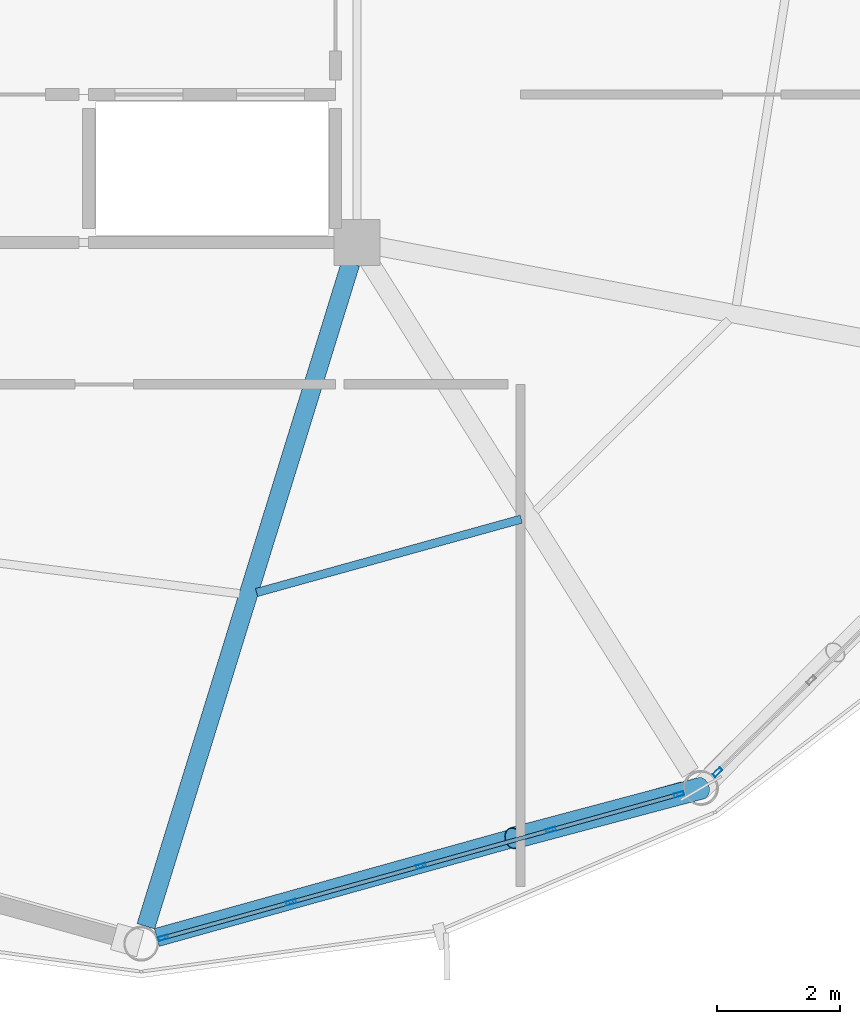
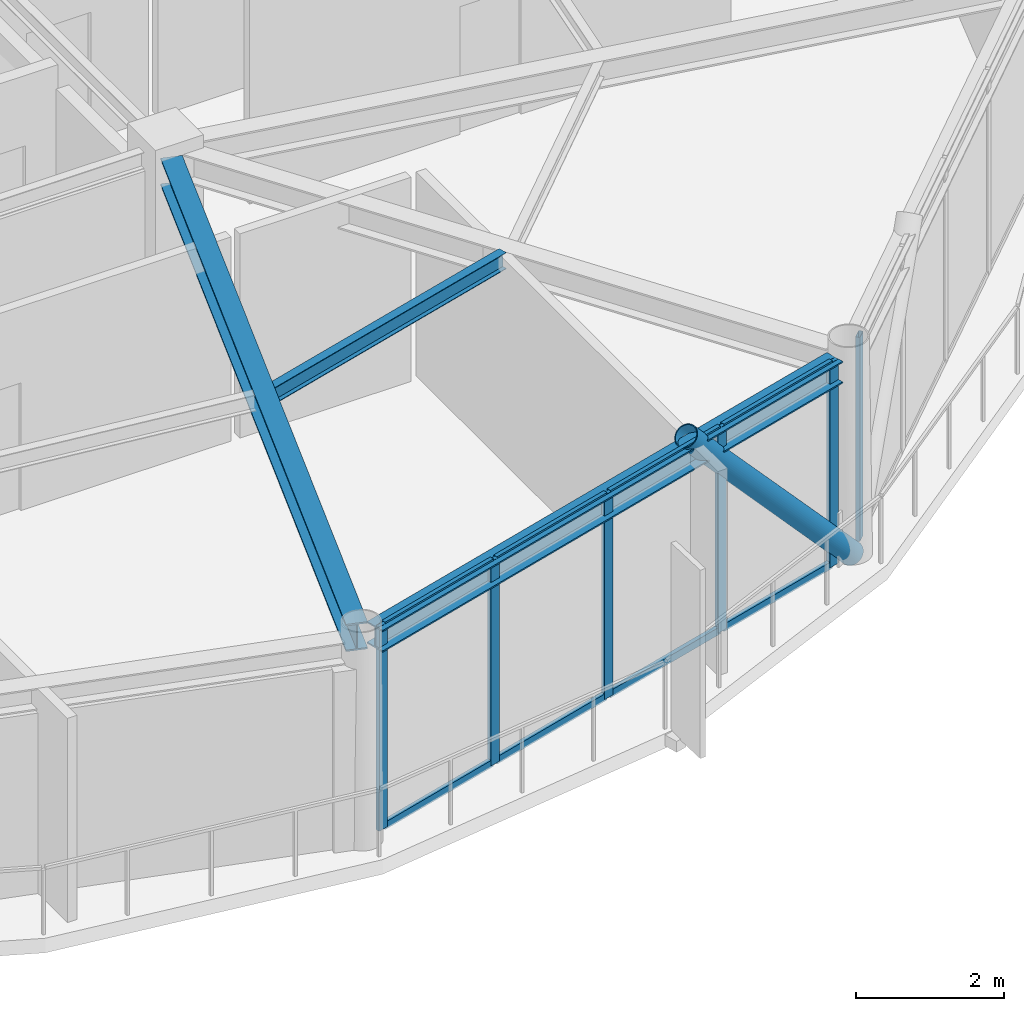
# One storey, part 7 of 25: 15 members, 3 beams, 2 elements without a shape of their own.
"""IFC4 building model written with IfcOpenShell, lengths in metres."""

from ifc_helpers import new_model, si_unit, direction, frame, origin, origin_2d, place, context, subcontext, project, spatial, hollow_rectangle, hollow_circle, i_section, extrude, material, layer, layer_set, material_profile, profile_set, type_object, element, aggregate, save


model = new_model("IFC4")

# Units and contexts
model_context = context("Model", 3, precision=1e-05, world=origin(), true_north=direction((0.0, 1.0)))
body_context = subcontext(model_context, "Body", "Model", "MODEL_VIEW")
ifc_project = project(units=[si_unit("LENGTHUNIT", "METRE"), si_unit("AREAUNIT", "SQUARE_METRE"), si_unit("VOLUMEUNIT", "CUBIC_METRE"), si_unit("PLANEANGLEUNIT", "RADIAN"), si_unit("MASSUNIT", "GRAM", prefix="KILO")], contexts=[model_context])

# Site, building, storey
site_placement = place(None, origin())
site = spatial("IfcSite", under=ifc_project, at=site_placement, CompositionType="ELEMENT")
building_placement = place(site_placement, origin())
building = spatial("IfcBuilding", under=site, at=building_placement, Name="Varnakorn Sky Granary", CompositionType="ELEMENT")
storey_placement = place(building_placement, frame((0.0, 0.0, 259.800048828125)))
storey = spatial("IfcBuildingStorey", under=building, at=storey_placement, Name="L66", CompositionType="ELEMENT", Elevation=259.800048828125)

# Beams
ifc_material_1 = material(Name="Steel S355JR", Category="steel")
ifc_material_profile_1 = material_profile(ifc_material_1, i_section(OverallWidth=0.300048828125, OverallDepth=0.449951171875, WebThickness=0.013916015625, FlangeThickness=0.02587890625, at=origin_2d()), Name="HE 450 B")
ifc_profile_set_1 = profile_set([ifc_material_profile_1], Name="Steel S355JR")
beam_type_1 = type_object("IfcBeamType", Name="BM-RAD-Z5", PredefinedType="BEAM", material=ifc_profile_set_1)
beam_1_placement = place(storey_placement, frame((8.245361328125, -6.939208984375, 3.135009765625), z_axis=(-0.294994952411, -0.95549881112, 0.0), x_axis=(0.95549881112, -0.294994952411, 0.0)))
element("IfcBeam", 1, at=beam_1_placement, inside=storey, type_object=beam_type_1, Name="Radial Floor Girder RG10 L66", PredefinedType="BEAM", context=body_context, shape_type="SweptSolid", body=[
    extrude(i_section(OverallWidth=0.300048828125, OverallDepth=0.449951171875, WebThickness=0.013916015625, FlangeThickness=0.02587890625, at=origin_2d()), origin(), (0.0, 0.0, 1.0), 11.24560546875),
])
ifc_material_profile_2 = material_profile(ifc_material_1, i_section(OverallWidth=0.135009765625, OverallDepth=0.27001953125, WebThickness=0.006591796875, FlangeThickness=0.01025390625, at=origin_2d()), Name="IPE 270")
ifc_profile_set_2 = profile_set([ifc_material_profile_2], Name="Steel S355JR")
beam_type_2 = type_object("IfcBeamType", Name="BM-SEC-Z5", PredefinedType="BEAM", material=ifc_profile_set_2)
beam_2_placement = place(storey_placement, frame((6.7216796875, -12.2744140625, 3.224853515625), z_axis=(0.963600360137, 0.267346864474, 0.0), x_axis=(-0.267346864474, 0.963600360137, 0.0)))
element("IfcBeam", 2, at=beam_2_placement, inside=storey, type_object=beam_type_2, Name="Secondary Floor Chord Beam MSB10 L66", PredefinedType="BEAM", context=body_context, shape_type="SweptSolid", body=[
    extrude(i_section(OverallWidth=0.135009765625, OverallDepth=0.27001953125, WebThickness=0.006591796875, FlangeThickness=0.01025390625, at=origin_2d()), origin(), (0.0, 0.0, 1.0), 4.451904296875),
])
ifc_material_profile_3 = material_profile(ifc_material_1, i_section(OverallWidth=0.300048828125, OverallDepth=0.360107421875, WebThickness=0.012451171875, FlangeThickness=0.0224609375, at=origin_2d()), Name="HE 360 B")
ifc_profile_set_3 = profile_set([ifc_material_profile_3], Name="Steel S355JR")
beam_type_3 = type_object("IfcBeamType", Name="BM-SPD-Z5", PredefinedType="SPANDREL", material=ifc_profile_set_3)
beam_3_placement = place(storey_placement, frame((5.104736328125, -17.865966796875, 3.179931640625), z_axis=(0.963310362828, 0.26838991201, 0.0), x_axis=(-0.26838991201, 0.963310362828, 0.0)))
element("IfcBeam", 3, at=beam_3_placement, inside=storey, type_object=beam_type_3, Name="Perimeter Spandrel Ring Beam RB10 L66", PredefinedType="SPANDREL", context=body_context, shape_type="SweptSolid", body=[
    extrude(i_section(OverallWidth=0.300048828125, OverallDepth=0.360107421875, WebThickness=0.012451171875, FlangeThickness=0.0224609375, at=origin_2d()), origin(), (0.0, 0.0, 1.0), 8.85986328125),
])

# Curtain wall, members
ifc_material_2 = material(Name="Anodised Bronze Aluminium Alloy 6063-T6", Category="aluminium")
ifc_layer = layer(ifc_material_2, 0.159912109375, Name="Anodised Bronze Aluminium Alloy 6063-T6")
ifc_layer_set = layer_set([ifc_layer], Name="Anodised Bronze Aluminium Alloy 6063-T6")
curtain_wall_type = type_object("IfcCurtainWallType", Name="CW-OFF-1", PredefinedType="USERDEFINED", material=ifc_layer_set)
curtain_wall_1_placement = place(storey_placement, origin())
curtain_wall_1 = element("IfcCurtainWall", 4, at=curtain_wall_1_placement, inside=storey, type_object=curtain_wall_type, Name="Unitised Curtain Wall CW6 CW-L66-B10", ObjectType="CURTAIN WALL", PredefinedType="USERDEFINED")
ifc_material_profile_4 = material_profile(ifc_material_2, hollow_rectangle(XDim=0.06494140625, YDim=0.159912109375, WallThickness=0.00341796875, at=origin_2d()), Name="ALU MULL 65x160")
ifc_profile_set_4 = profile_set([ifc_material_profile_4], Name="Anodised Bronze Aluminium Alloy 6063-T6")
member_type_1 = type_object("IfcMemberType", Name="CW-OFF-1-MULL", PredefinedType="MULLION", material=ifc_profile_set_4)
member_1_placement = place(storey_placement, frame((13.570068359375, -15.546142578125, 0.0), z_axis=(0.0, 0.0, 1.0), x_axis=(0.267911054305, -0.963443650133, 0.0)))
member_1 = element("IfcMember", 5, at=member_1_placement, type_object=member_type_1, Name="CW6 mullion 1", PredefinedType="MULLION", context=body_context, shape_type="SweptSolid", body=[
    extrude(hollow_rectangle(XDim=0.06494140625, YDim=0.159912109375, WallThickness=0.00341796875, at=origin_2d()), origin(), (0.0, 0.0, 1.0), 3.35986328125),
])
member_2_placement = place(storey_placement, frame((11.495361328125, -16.123046875, 0.0), z_axis=(0.0, 0.0, 1.0), x_axis=(0.267911054305, -0.963443650133, 0.0)))
member_2 = element("IfcMember", 6, at=member_2_placement, type_object=member_type_1, Name="CW6 mullion 2", PredefinedType="MULLION", context=body_context, shape_type="SweptSolid", body=[
    extrude(hollow_rectangle(XDim=0.06494140625, YDim=0.159912109375, WallThickness=0.00341796875, at=origin_2d()), origin(), (0.0, 0.0, 1.0), 3.35986328125),
])
member_3_placement = place(storey_placement, frame((9.38916015625, -16.708740234375, 0.0), z_axis=(0.0, 0.0, 1.0), x_axis=(0.267911054305, -0.963443650133, 0.0)))
member_3 = element("IfcMember", 7, at=member_3_placement, type_object=member_type_1, Name="CW6 mullion 3", PredefinedType="MULLION", context=body_context, shape_type="SweptSolid", body=[
    extrude(hollow_rectangle(XDim=0.06494140625, YDim=0.159912109375, WallThickness=0.00341796875, at=origin_2d()), origin(), (0.0, 0.0, 1.0), 3.35986328125),
])
member_4_placement = place(storey_placement, frame((7.283203125, -17.29443359375, 0.0), z_axis=(0.0, 0.0, 1.0), x_axis=(0.267911054305, -0.963443650133, 0.0)))
member_4 = element("IfcMember", 8, at=member_4_placement, type_object=member_type_1, Name="CW6 mullion 4", PredefinedType="MULLION", context=body_context, shape_type="SweptSolid", body=[
    extrude(hollow_rectangle(XDim=0.06494140625, YDim=0.159912109375, WallThickness=0.00341796875, at=origin_2d()), origin(), (0.0, 0.0, 1.0), 3.35986328125),
])
member_5_placement = place(storey_placement, frame((5.20849609375, -17.871337890625, 0.0), z_axis=(0.0, 0.0, 1.0), x_axis=(0.267911054305, -0.963443650133, 0.0)))
member_5 = element("IfcMember", 9, at=member_5_placement, type_object=member_type_1, Name="CW6 mullion 5", PredefinedType="MULLION", context=body_context, shape_type="SweptSolid", body=[
    extrude(hollow_rectangle(XDim=0.06494140625, YDim=0.159912109375, WallThickness=0.00341796875, at=origin_2d()), origin(), (0.0, 0.0, 1.0), 3.35986328125),
])

# Curtain wall, member
curtain_wall_2_placement = place(storey_placement, origin())
curtain_wall_2 = element("IfcCurtainWall", 10, at=curtain_wall_2_placement, inside=storey, type_object=curtain_wall_type, Name="Unitised Curtain Wall CW6 CW-L66-B11", ObjectType="CURTAIN WALL", PredefinedType="USERDEFINED")
member_6_placement = place(storey_placement, frame((14.19384765625, -15.185791015625, 0.0), z_axis=(0.0, 0.0, 1.0), x_axis=(0.700774417108, -0.713382938068, 0.0)))
member_6 = element("IfcMember", 11, at=member_6_placement, type_object=member_type_1, Name="CW6 mullion 5", PredefinedType="MULLION", context=body_context, shape_type="SweptSolid", body=[
    extrude(hollow_rectangle(XDim=0.06494140625, YDim=0.159912109375, WallThickness=0.00341796875, at=origin_2d()), origin(), (0.0, 0.0, 1.0), 3.35986328125),
])
aggregate(curtain_wall_2, [member_6])

# Member
ifc_material_profile_5 = material_profile(ifc_material_2, hollow_rectangle(XDim=0.06494140625, YDim=0.1201171875, WallThickness=0.00341796875, at=origin_2d()), Name="ALU TRAN 65x120")
ifc_profile_set_5 = profile_set([ifc_material_profile_5], Name="Anodised Bronze Aluminium Alloy 6063-T6")
member_type_2 = type_object("IfcMemberType", Name="CW-OFF-1-TRAN", PredefinedType="USERDEFINED", material=ifc_profile_set_5)
member_7_placement = place(storey_placement, frame((13.538818359375, -15.554931640625, 0.032470703125), z_axis=(-0.963471001773, -0.267812674722, 0.0), x_axis=(0.267812674722, -0.963471001773, 0.0)))
member_7 = element("IfcMember", 12, at=member_7_placement, type_object=member_type_2, Name="CW6 transom 1.1", ObjectType="TRANSOM", PredefinedType="USERDEFINED", context=body_context, shape_type="SweptSolid", body=[
    extrude(hollow_rectangle(XDim=0.06494140625, YDim=0.1201171875, WallThickness=0.00341796875, at=origin_2d()), origin(), (0.0, 0.0, 1.0), 2.08837890625),
])

member_8_placement = place(storey_placement, frame((13.538818359375, -15.554931640625, 3.327392578125), z_axis=(-0.963471001773, -0.267812674722, 0.0), x_axis=(0.267812674722, -0.963471001773, 0.0)))
member_8 = element("IfcMember", 13, at=member_8_placement, type_object=member_type_2, Name="CW6 transom 1.2", ObjectType="TRANSOM", PredefinedType="USERDEFINED", context=body_context, shape_type="SweptSolid", body=[
    extrude(hollow_rectangle(XDim=0.06494140625, YDim=0.1201171875, WallThickness=0.00341796875, at=origin_2d()), origin(), (0.0, 0.0, 1.0), 2.08837890625),
])

member_9_placement = place(storey_placement, frame((11.464111328125, -16.1318359375, 0.032470703125), z_axis=(-0.963458517622, -0.267857583095, 0.0), x_axis=(0.267857583095, -0.963458517622, 0.0)))
member_9 = element("IfcMember", 14, at=member_9_placement, type_object=member_type_2, Name="CW6 transom 2.1", ObjectType="TRANSOM", PredefinedType="USERDEFINED", context=body_context, shape_type="SweptSolid", body=[
    extrude(hollow_rectangle(XDim=0.06494140625, YDim=0.1201171875, WallThickness=0.00341796875, at=origin_2d()), origin(), (0.0, 0.0, 1.0), 2.120849609375),
])

member_10_placement = place(storey_placement, frame((11.464111328125, -16.1318359375, 3.327392578125), z_axis=(-0.963458517622, -0.267857583095, 0.0), x_axis=(0.267857583095, -0.963458517622, 0.0)))
member_10 = element("IfcMember", 15, at=member_10_placement, type_object=member_type_2, Name="CW6 transom 2.2", ObjectType="TRANSOM", PredefinedType="USERDEFINED", context=body_context, shape_type="SweptSolid", body=[
    extrude(hollow_rectangle(XDim=0.06494140625, YDim=0.1201171875, WallThickness=0.00341796875, at=origin_2d()), origin(), (0.0, 0.0, 1.0), 2.120849609375),
])

member_11_placement = place(storey_placement, frame((9.35791015625, -16.71728515625, 0.032470703125), z_axis=(-0.963428806589, -0.267964427926, 0.0), x_axis=(0.267964427926, -0.963428806589, 0.0)))
member_11 = element("IfcMember", 16, at=member_11_placement, type_object=member_type_2, Name="CW6 transom 3.1", ObjectType="TRANSOM", PredefinedType="USERDEFINED", context=body_context, shape_type="SweptSolid", body=[
    extrude(hollow_rectangle(XDim=0.06494140625, YDim=0.1201171875, WallThickness=0.00341796875, at=origin_2d()), origin(), (0.0, 0.0, 1.0), 2.12109375),
])

member_12_placement = place(storey_placement, frame((9.35791015625, -16.71728515625, 3.327392578125), z_axis=(-0.963428806589, -0.267964427926, 0.0), x_axis=(0.267964427926, -0.963428806589, 0.0)))
member_12 = element("IfcMember", 17, at=member_12_placement, type_object=member_type_2, Name="CW6 transom 3.2", ObjectType="TRANSOM", PredefinedType="USERDEFINED", context=body_context, shape_type="SweptSolid", body=[
    extrude(hollow_rectangle(XDim=0.06494140625, YDim=0.1201171875, WallThickness=0.00341796875, at=origin_2d()), origin(), (0.0, 0.0, 1.0), 2.12109375),
])

member_13_placement = place(storey_placement, frame((7.251953125, -17.302978515625, 0.032470703125), z_axis=(-0.963440833519, -0.267921183017, 0.0), x_axis=(0.267921183017, -0.963440833519, 0.0)))
member_13 = element("IfcMember", 18, at=member_13_placement, type_object=member_type_2, Name="CW6 transom 4.1", ObjectType="TRANSOM", PredefinedType="USERDEFINED", context=body_context, shape_type="SweptSolid", body=[
    extrude(hollow_rectangle(XDim=0.06494140625, YDim=0.1201171875, WallThickness=0.00341796875, at=origin_2d()), origin(), (0.0, 0.0, 1.0), 2.088623046875),
])

member_14_placement = place(storey_placement, frame((7.251953125, -17.302978515625, 3.327392578125), z_axis=(-0.963440833519, -0.267921183017, 0.0), x_axis=(0.267921183017, -0.963440833519, 0.0)))
member_14 = element("IfcMember", 19, at=member_14_placement, type_object=member_type_2, Name="CW6 transom 4.2", ObjectType="TRANSOM", PredefinedType="USERDEFINED", context=body_context, shape_type="SweptSolid", body=[
    extrude(hollow_rectangle(XDim=0.06494140625, YDim=0.1201171875, WallThickness=0.00341796875, at=origin_2d()), origin(), (0.0, 0.0, 1.0), 2.088623046875),
])

aggregate(curtain_wall_1, [member_1, member_2, member_3, member_4, member_5, member_7, member_8, member_9, member_10, member_11, member_12, member_13, member_14])

ifc_material_3 = material(Name="Steel S460M", Category="steel")
ifc_material_profile_6 = material_profile(ifc_material_3, hollow_circle(Radius=0.177734375, WallThickness=0.01416015625, at=origin_2d()), Name="CHS 355.6x14")
ifc_profile_set_6 = profile_set([ifc_material_profile_6], Name="Steel S460M")
member_type_3 = type_object("IfcMemberType", Name="MB-DIAG-T5", PredefinedType="BRACE", material=ifc_profile_set_6)
member_15_placement = place(storey_placement, frame((13.928466796875, -15.4462890625, 0.0), z_axis=(-0.648059807708, -0.172341978011, 0.741833356117), x_axis=(0.257002712525, -0.966410681726, 0.0)))
element("IfcMember", 20, at=member_15_placement, inside=storey, type_object=member_type_3, Name="Perimeter CHS Diagrid Brace DG10 L66", PredefinedType="BRACE", context=body_context, shape_type="SweptSolid", body=[
    extrude(hollow_circle(Radius=0.177734375, WallThickness=0.01416015625, at=origin_2d()), origin(), (0.0, 0.0, 1.0), 4.70458984375),
])

save(model, "model.ifc")
